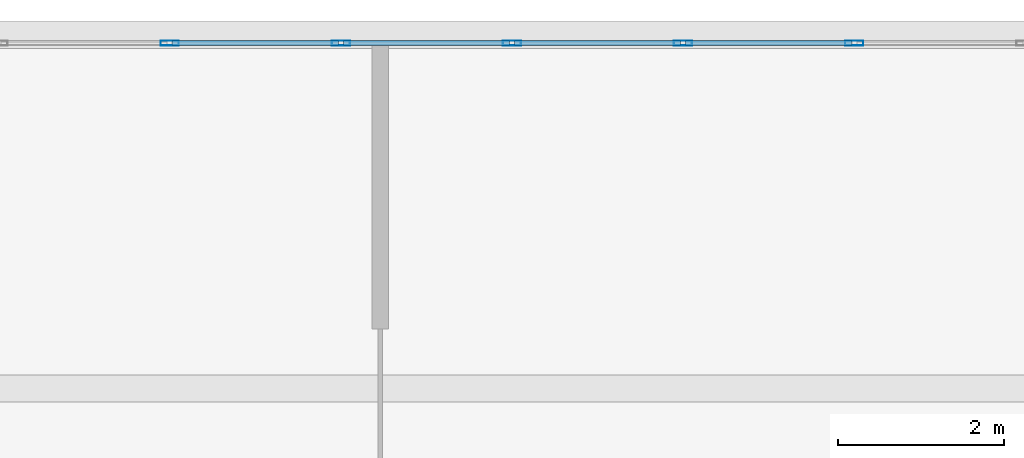
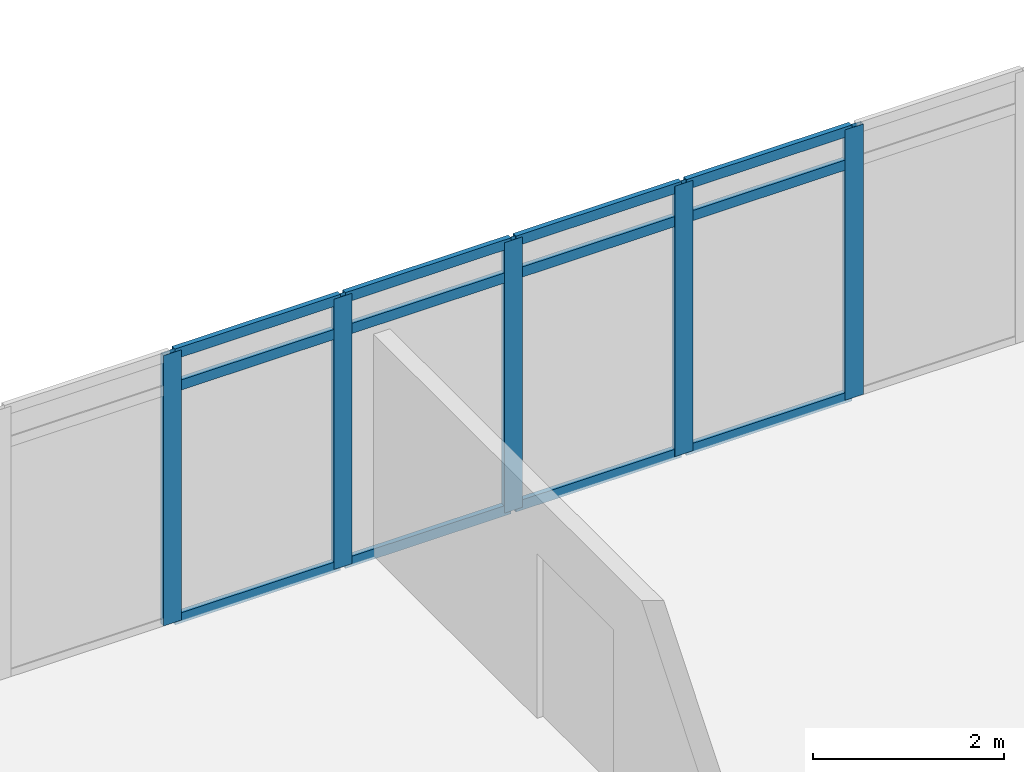
# One storey, part 17 of 28: 17 members, 1 element without a shape of its own.
"""IFC4 building model written with IfcOpenShell, lengths in metres."""

from ifc_helpers import new_model, si_unit, direction, frame, origin, origin_2d, place, context, subcontext, project, spatial, hollow_rectangle, extrude, material, material_profile, profile_set, type_object, element, aggregate, save


model = new_model("IFC4")

# Units and contexts
model_context = context("Model", 3, precision=1e-05, world=origin(), true_north=direction((0.0, 1.0)))
body_context = subcontext(model_context, "Body", "Model", "MODEL_VIEW")
ifc_project = project(units=[si_unit("LENGTHUNIT", "METRE"), si_unit("AREAUNIT", "SQUARE_METRE"), si_unit("VOLUMEUNIT", "CUBIC_METRE"), si_unit("PLANEANGLEUNIT", "RADIAN"), si_unit("MASSUNIT", "GRAM", prefix="KILO")], contexts=[model_context])

# Site, building, storey
site_placement = place(None, origin())
site = spatial("IfcSite", under=ifc_project, at=site_placement, CompositionType="ELEMENT")
building_placement = place(site_placement, origin())
building = spatial("IfcBuilding", under=site, at=building_placement, Name="Ostrander Bayou Hotel Tower", CompositionType="ELEMENT")
storey_placement = place(building_placement, frame((0.0, 0.0, 104.25)))
storey = spatial("IfcBuildingStorey", under=building, at=storey_placement, Name="L26", CompositionType="ELEMENT", Elevation=104.25)

# Curtain wall, members
ifc_material_1 = material(Name="Aluminium and clear glass", Category="aluminium")
curtain_wall_type = type_object("IfcCurtainWallType", Name="CW-BAR glazed wall", PredefinedType="NOTDEFINED", material=ifc_material_1)
curtain_wall_placement = place(storey_placement, origin())
curtain_wall = element("IfcCurtainWall", 1, at=curtain_wall_placement, inside=storey, type_object=curtain_wall_type, Name="CW-BAR L26:SB2N:T", PredefinedType="NOTDEFINED")
ifc_material_2 = material(Name="Aluminium", Category="aluminium")
ifc_material_profile_1 = material_profile(ifc_material_2, hollow_rectangle(XDim=0.06005859375, YDim=0.219970703125, WallThickness=0.00390625, at=origin_2d()))
ifc_profile_set_1 = profile_set([ifc_material_profile_1], Name="Aluminium")
member_type_1 = type_object("IfcMemberType", Name="CW-BR mullion 60 x 220 mm", PredefinedType="MULLION", material=ifc_profile_set_1)
member_1_placement = place(storey_placement, frame((1.0283203125, 31.4453125, 0.0), z_axis=(0.0, 0.0, 1.0), x_axis=(0.0, 1.0, 0.0)))
member_1 = element("IfcMember", 2, at=member_1_placement, type_object=member_type_1, Name="CW-BAR mullion 8", PredefinedType="MULLION", context=body_context, shape_type="SweptSolid", body=[
    extrude(hollow_rectangle(XDim=0.06005859375, YDim=0.219970703125, WallThickness=0.00390625, at=origin_2d()), origin(), (0.0, 0.0, 1.0), 3.449951171875),
])
member_2_placement = place(storey_placement, frame((3.084716796875, 31.4453125, 0.0), z_axis=(0.0, 0.0, 1.0), x_axis=(0.0, 1.0, 0.0)))
member_2 = element("IfcMember", 3, at=member_2_placement, type_object=member_type_1, Name="CW-BAR mullion 9", PredefinedType="MULLION", context=body_context, shape_type="SweptSolid", body=[
    extrude(hollow_rectangle(XDim=0.06005859375, YDim=0.219970703125, WallThickness=0.00390625, at=origin_2d()), origin(), (0.0, 0.0, 1.0), 3.449951171875),
])
member_3_placement = place(storey_placement, frame((5.14111328125, 31.4453125, 0.0), z_axis=(0.0, 0.0, 1.0), x_axis=(0.0, 1.0, 0.0)))
member_3 = element("IfcMember", 4, at=member_3_placement, type_object=member_type_1, Name="CW-BAR mullion 10", PredefinedType="MULLION", context=body_context, shape_type="SweptSolid", body=[
    extrude(hollow_rectangle(XDim=0.06005859375, YDim=0.219970703125, WallThickness=0.00390625, at=origin_2d()), origin(), (0.0, 0.0, 1.0), 3.449951171875),
])
member_4_placement = place(storey_placement, frame((7.19775390625, 31.4453125, 0.0), z_axis=(0.0, 0.0, 1.0), x_axis=(0.0, 1.0, 0.0)))
member_4 = element("IfcMember", 5, at=member_4_placement, type_object=member_type_1, Name="CW-BAR mullion 11", PredefinedType="MULLION", context=body_context, shape_type="SweptSolid", body=[
    extrude(hollow_rectangle(XDim=0.06005859375, YDim=0.219970703125, WallThickness=0.00390625, at=origin_2d()), origin(), (0.0, 0.0, 1.0), 3.449951171875),
])
member_5_placement = place(storey_placement, frame((9.254150390625, 31.4453125, 0.0), z_axis=(0.0, 0.0, 1.0), x_axis=(0.0, 1.0, 0.0)))
member_5 = element("IfcMember", 6, at=member_5_placement, type_object=member_type_1, Name="CW-BAR mullion 12", PredefinedType="MULLION", context=body_context, shape_type="SweptSolid", body=[
    extrude(hollow_rectangle(XDim=0.06005859375, YDim=0.219970703125, WallThickness=0.00390625, at=origin_2d()), origin(), (0.0, 0.0, 1.0), 3.449951171875),
])
ifc_material_3 = material(Name="Aluminium", Category="aluminium")
ifc_material_profile_2 = material_profile(ifc_material_3, hollow_rectangle(XDim=0.06005859375, YDim=0.1298828125, WallThickness=0.00390625, at=origin_2d()))
ifc_profile_set_2 = profile_set([ifc_material_profile_2], Name="Aluminium")
member_type_2 = type_object("IfcMemberType", Name="CW-BR transom 60 x 130 mm", PredefinedType="USERDEFINED", material=ifc_profile_set_2)
member_6_placement = place(storey_placement, frame((1.058349609375, 31.4453125, 0.030029296875), z_axis=(1.0, 0.0, 0.0), x_axis=(0.0, 1.0, 0.0)))
member_6 = element("IfcMember", 7, at=member_6_placement, type_object=member_type_2, Name="CW-BAR transom 8.1", ObjectType="TRANSOM", PredefinedType="USERDEFINED", context=body_context, shape_type="SweptSolid", body=[
    extrude(hollow_rectangle(XDim=0.06005859375, YDim=0.1298828125, WallThickness=0.00390625, at=origin_2d()), origin(), (0.0, 0.0, 1.0), 1.996337890625),
])
member_7_placement = place(storey_placement, frame((1.058349609375, 31.4453125, 3.0), z_axis=(1.0, 0.0, 0.0), x_axis=(0.0, 1.0, 0.0)))
member_7 = element("IfcMember", 8, at=member_7_placement, type_object=member_type_2, Name="CW-BAR transom 8.2", ObjectType="TRANSOM", PredefinedType="USERDEFINED", context=body_context, shape_type="SweptSolid", body=[
    extrude(hollow_rectangle(XDim=0.06005859375, YDim=0.1298828125, WallThickness=0.00390625, at=origin_2d()), origin(), (0.0, 0.0, 1.0), 1.996337890625),
])
member_8_placement = place(storey_placement, frame((1.058349609375, 31.4453125, 3.419921875), z_axis=(1.0, 0.0, 0.0), x_axis=(0.0, 1.0, 0.0)))
member_8 = element("IfcMember", 9, at=member_8_placement, type_object=member_type_2, Name="CW-BAR transom 8.3", ObjectType="TRANSOM", PredefinedType="USERDEFINED", context=body_context, shape_type="SweptSolid", body=[
    extrude(hollow_rectangle(XDim=0.06005859375, YDim=0.1298828125, WallThickness=0.00390625, at=origin_2d()), origin(), (0.0, 0.0, 1.0), 1.996337890625),
])
member_9_placement = place(storey_placement, frame((3.11474609375, 31.4453125, 0.030029296875), z_axis=(1.0, 0.0, 0.0), x_axis=(0.0, 1.0, 0.0)))
member_9 = element("IfcMember", 10, at=member_9_placement, type_object=member_type_2, Name="CW-BAR transom 9.1", ObjectType="TRANSOM", PredefinedType="USERDEFINED", context=body_context, shape_type="SweptSolid", body=[
    extrude(hollow_rectangle(XDim=0.06005859375, YDim=0.1298828125, WallThickness=0.00390625, at=origin_2d()), origin(), (0.0, 0.0, 1.0), 1.99658203125),
])
member_10_placement = place(storey_placement, frame((3.11474609375, 31.4453125, 3.0), z_axis=(1.0, 0.0, 0.0), x_axis=(0.0, 1.0, 0.0)))
member_10 = element("IfcMember", 11, at=member_10_placement, type_object=member_type_2, Name="CW-BAR transom 9.2", ObjectType="TRANSOM", PredefinedType="USERDEFINED", context=body_context, shape_type="SweptSolid", body=[
    extrude(hollow_rectangle(XDim=0.06005859375, YDim=0.1298828125, WallThickness=0.00390625, at=origin_2d()), origin(), (0.0, 0.0, 1.0), 1.99658203125),
])
member_11_placement = place(storey_placement, frame((3.11474609375, 31.4453125, 3.419921875), z_axis=(1.0, 0.0, 0.0), x_axis=(0.0, 1.0, 0.0)))
member_11 = element("IfcMember", 12, at=member_11_placement, type_object=member_type_2, Name="CW-BAR transom 9.3", ObjectType="TRANSOM", PredefinedType="USERDEFINED", context=body_context, shape_type="SweptSolid", body=[
    extrude(hollow_rectangle(XDim=0.06005859375, YDim=0.1298828125, WallThickness=0.00390625, at=origin_2d()), origin(), (0.0, 0.0, 1.0), 1.99658203125),
])
member_12_placement = place(storey_placement, frame((5.171142578125, 31.4453125, 0.030029296875), z_axis=(1.0, 0.0, 0.0), x_axis=(0.0, 1.0, 0.0)))
member_12 = element("IfcMember", 13, at=member_12_placement, type_object=member_type_2, Name="CW-BAR transom 10.1", ObjectType="TRANSOM", PredefinedType="USERDEFINED", context=body_context, shape_type="SweptSolid", body=[
    extrude(hollow_rectangle(XDim=0.06005859375, YDim=0.1298828125, WallThickness=0.00390625, at=origin_2d()), origin(), (0.0, 0.0, 1.0), 1.99658203125),
])
member_13_placement = place(storey_placement, frame((5.171142578125, 31.4453125, 3.0), z_axis=(1.0, 0.0, 0.0), x_axis=(0.0, 1.0, 0.0)))
member_13 = element("IfcMember", 14, at=member_13_placement, type_object=member_type_2, Name="CW-BAR transom 10.2", ObjectType="TRANSOM", PredefinedType="USERDEFINED", context=body_context, shape_type="SweptSolid", body=[
    extrude(hollow_rectangle(XDim=0.06005859375, YDim=0.1298828125, WallThickness=0.00390625, at=origin_2d()), origin(), (0.0, 0.0, 1.0), 1.99658203125),
])
member_14_placement = place(storey_placement, frame((5.171142578125, 31.4453125, 3.419921875), z_axis=(1.0, 0.0, 0.0), x_axis=(0.0, 1.0, 0.0)))
member_14 = element("IfcMember", 15, at=member_14_placement, type_object=member_type_2, Name="CW-BAR transom 10.3", ObjectType="TRANSOM", PredefinedType="USERDEFINED", context=body_context, shape_type="SweptSolid", body=[
    extrude(hollow_rectangle(XDim=0.06005859375, YDim=0.1298828125, WallThickness=0.00390625, at=origin_2d()), origin(), (0.0, 0.0, 1.0), 1.99658203125),
])
member_15_placement = place(storey_placement, frame((7.227783203125, 31.4453125, 0.030029296875), z_axis=(1.0, 0.0, 0.0), x_axis=(0.0, 1.0, 0.0)))
member_15 = element("IfcMember", 16, at=member_15_placement, type_object=member_type_2, Name="CW-BAR transom 11.1", ObjectType="TRANSOM", PredefinedType="USERDEFINED", context=body_context, shape_type="SweptSolid", body=[
    extrude(hollow_rectangle(XDim=0.06005859375, YDim=0.1298828125, WallThickness=0.00390625, at=origin_2d()), origin(), (0.0, 0.0, 1.0), 1.996337890625),
])
member_16_placement = place(storey_placement, frame((7.227783203125, 31.4453125, 3.0), z_axis=(1.0, 0.0, 0.0), x_axis=(0.0, 1.0, 0.0)))
member_16 = element("IfcMember", 17, at=member_16_placement, type_object=member_type_2, Name="CW-BAR transom 11.2", ObjectType="TRANSOM", PredefinedType="USERDEFINED", context=body_context, shape_type="SweptSolid", body=[
    extrude(hollow_rectangle(XDim=0.06005859375, YDim=0.1298828125, WallThickness=0.00390625, at=origin_2d()), origin(), (0.0, 0.0, 1.0), 1.996337890625),
])
member_17_placement = place(storey_placement, frame((7.227783203125, 31.4453125, 3.419921875), z_axis=(1.0, 0.0, 0.0), x_axis=(0.0, 1.0, 0.0)))
member_17 = element("IfcMember", 18, at=member_17_placement, type_object=member_type_2, Name="CW-BAR transom 11.3", ObjectType="TRANSOM", PredefinedType="USERDEFINED", context=body_context, shape_type="SweptSolid", body=[
    extrude(hollow_rectangle(XDim=0.06005859375, YDim=0.1298828125, WallThickness=0.00390625, at=origin_2d()), origin(), (0.0, 0.0, 1.0), 1.996337890625),
])
aggregate(curtain_wall, [member_1, member_2, member_3, member_4, member_5, member_6, member_7, member_8, member_9, member_10, member_11, member_12, member_13, member_14, member_15, member_16, member_17])

save(model, "model.ifc")
